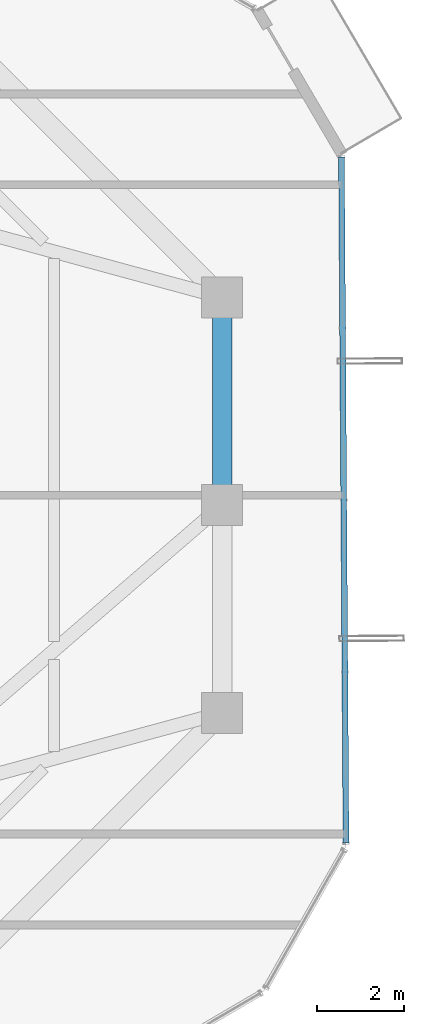
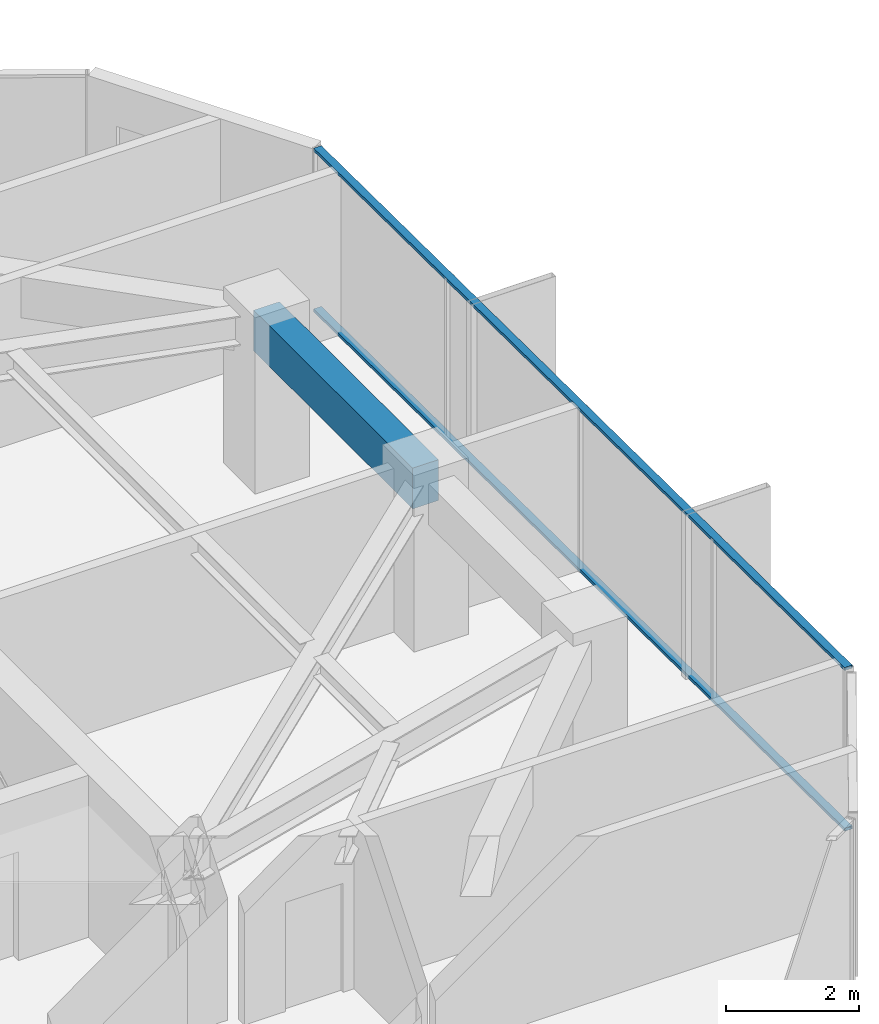
# One storey, part 18 of 31: 2 members, 1 beam, 1 element without a shape of its own.
"""IFC4 building model written with IfcOpenShell, lengths in metres."""

import ifcopenshell
import ifcopenshell.guid

model = None  # the IFC model being written
_history = None  # IfcOwnerHistory: only IFC2X3 demands one
_inside = {}  # id of a spatial element -> (the spatial element, [elements in it])
_under = {}  # id of a project, library or spatial element -> (it, [spatial elements below it])
_declared = {}  # id of a project -> (the project, [libraries it declares])
_typed = {}  # id of a type object -> (the type object, [elements of that type])
_made_of = {}  # id of a material, layer set ... -> (it, [elements and type objects made of it])


def new_model(schema):
    """Start an empty IFC model of exactly this schema.

    Asked for "IFC4X3", IfcOpenShell would pick the latest addendum, in which some entities
    have other attributes; the version numbers below select the first issue.
    IFC2X3 requires an IfcOwnerHistory on every rooted entity: one is made here for all.
    """
    global model, _history
    if schema == "IFC4X3":
        model = ifcopenshell.file(schema_version=(4, 3, 0, 0))
    else:
        model = ifcopenshell.file(schema=schema)
    _inside.clear()
    _under.clear()
    _declared.clear()
    _typed.clear()
    _made_of.clear()
    _history = None
    if model.schema == "IFC2X3":
        org = make("IfcOrganization", Name="unknown")
        user = make(
            "IfcPersonAndOrganization",
            ThePerson=make("IfcPerson", FamilyName="unknown"),
            TheOrganization=org,
        )
        app = make(
            "IfcApplication",
            ApplicationDeveloper=org,
            Version="unknown",
            ApplicationFullName="unknown",
            ApplicationIdentifier="unknown",
        )
        _history = make(
            "IfcOwnerHistory",
            OwningUser=user,
            OwningApplication=app,
            ChangeAction="ADDED",
            CreationDate=0,
        )
    return model


def make(cls, **values):
    """One entity of the class cls with the attributes given. An attribute that is None is left unset."""
    return model.create_entity(
        cls, **{name: value for name, value in values.items() if value is not None}
    )


def rooted(cls, **values):
    """An entity with a GlobalId (a new one), such as an element, a storey or a relation."""
    return make(cls, GlobalId=ifcopenshell.guid.new(), OwnerHistory=_history, **values)


def si_unit(unit_type, name, prefix=None):
    """IfcSIUnit, for example si_unit("LENGTHUNIT", "METRE", prefix="MILLI")."""
    return make("IfcSIUnit", UnitType=unit_type, Prefix=prefix, Name=name)


def assignment(units):
    """IfcUnitAssignment: the units of a project."""
    return None if units is None else make("IfcUnitAssignment", Units=units)


def point(xyz):
    """IfcCartesianPoint."""
    return None if xyz is None else make("IfcCartesianPoint", Coordinates=xyz)


def direction(xyz):
    """IfcDirection."""
    return None if xyz is None else make("IfcDirection", DirectionRatios=xyz)


def frame(location, z_axis=None, x_axis=None):
    """IfcAxis2Placement3D, a coordinate frame: its origin and axes. An axis left out is left unset."""
    return make(
        "IfcAxis2Placement3D",
        Location=point(location),
        Axis=direction(z_axis),
        RefDirection=direction(x_axis),
    )


def frame_2d(location, x_axis=None):
    """IfcAxis2Placement2D, a coordinate frame in the plane: its origin and x axis."""
    return make(
        "IfcAxis2Placement2D", Location=point(location), RefDirection=direction(x_axis)
    )


def origin():
    """The frame at (0, 0, 0) with its axes left unset."""
    return frame((0.0, 0.0, 0.0))


def origin_2d():
    """The frame at (0, 0) in the plane with its x axis left unset."""
    return frame_2d((0.0, 0.0))


def place(relative_to, where):
    """IfcLocalPlacement: puts the frame where relative to a parent placement (None: the world)."""
    return make(
        "IfcLocalPlacement", PlacementRelTo=relative_to, RelativePlacement=where
    )


def context(
    kind, dimensions, precision=None, world=None, true_north=None, identifier=None
):
    """IfcGeometricRepresentationContext, for example the 3D "Model" context."""
    return make(
        "IfcGeometricRepresentationContext",
        ContextIdentifier=identifier,
        ContextType=kind,
        CoordinateSpaceDimension=dimensions,
        Precision=precision,
        WorldCoordinateSystem=world,
        TrueNorth=true_north,
    )


def subcontext(parent, identifier, kind, view, scale=None):
    """IfcGeometricRepresentationSubContext, for example "Body" below "Model"."""
    return make(
        "IfcGeometricRepresentationSubContext",
        ContextIdentifier=identifier,
        ContextType=kind,
        ParentContext=parent,
        TargetScale=scale,
        TargetView=view,
    )


def project(units=None, contexts=None):
    """IfcProject with its units and contexts."""
    return rooted(
        "IfcProject",
        Name="project",
        RepresentationContexts=contexts,
        UnitsInContext=assignment(units),
    )


def spatial(cls, under=None, at=None, **own):
    """A site, building, storey or space (cls), placed at a placement, below another one or the project."""
    s = rooted(cls, ObjectPlacement=at, **own)
    if under is not None:
        _under.setdefault(under.id(), (under, []))[1].append(s)
    return s


def profile(cls, at=None, kind="AREA", **sizes):
    """A parametric profile (cls). Its sizes go by their IFC names, for example OverallWidth=200.0."""
    return make(cls, ProfileType=kind, Position=at, **sizes)


def rectangle(**sizes):
    """IfcRectangleProfileDef."""
    return profile("IfcRectangleProfileDef", **sizes)


def hollow_rectangle(**sizes):
    """IfcRectangleHollowProfileDef."""
    return profile("IfcRectangleHollowProfileDef", **sizes)


def extrude(swept, where, along, depth):
    """IfcExtrudedAreaSolid: the profile swept, set in the frame where, extruded along a direction by depth."""
    return make(
        "IfcExtrudedAreaSolid",
        SweptArea=swept,
        Position=where,
        ExtrudedDirection=direction(along),
        Depth=depth,
    )


def shape(context_of_items, identifier, shape_type, items):
    """IfcShapeRepresentation: the items that make up one representation, for example the "Body"."""
    return make(
        "IfcShapeRepresentation",
        ContextOfItems=context_of_items,
        RepresentationIdentifier=identifier,
        RepresentationType=shape_type,
        Items=items,
    )


def source(mapping_origin, context_of_items, identifier, shape_type, items):
    """IfcRepresentationMap: a shape defined once, which mapped items show again and again."""
    return make(
        "IfcRepresentationMap",
        MappingOrigin=mapping_origin,
        MappedRepresentation=shape(context_of_items, identifier, shape_type, items),
    )


def transform(
    local_origin,
    x_axis=None,
    y_axis=None,
    z_axis=None,
    scale=None,
    scale2=None,
    scale3=None,
    uniform=True,
):
    """IfcCartesianTransformationOperator3D, or its non-uniform kind. x_axis, y_axis, z_axis: its Axis1, 2, 3."""
    if uniform:
        return make(
            "IfcCartesianTransformationOperator3D",
            Axis1=direction(x_axis),
            Axis2=direction(y_axis),
            LocalOrigin=point(local_origin),
            Scale=scale,
            Axis3=direction(z_axis),
        )
    return make(
        "IfcCartesianTransformationOperator3DnonUniform",
        Axis1=direction(x_axis),
        Axis2=direction(y_axis),
        LocalOrigin=point(local_origin),
        Scale=scale,
        Axis3=direction(z_axis),
        Scale2=scale2,
        Scale3=scale3,
    )


def mapped(mapping_source, mapping_target):
    """IfcMappedItem: shows the shape of a source again, moved by a transform."""
    return make(
        "IfcMappedItem", MappingSource=mapping_source, MappingTarget=mapping_target
    )


def material(Name=None, Category=None):
    """IfcMaterial."""
    return make("IfcMaterial", Name=Name, Category=Category)


def layer(
    of_material, thickness, ventilated=None, Name=None, Category=None, Priority=None
):
    """IfcMaterialLayer: one layer of a wall or slab, of a material (None: an air gap)."""
    return make(
        "IfcMaterialLayer",
        Material=of_material,
        LayerThickness=thickness,
        IsVentilated=ventilated,
        Name=Name,
        Category=Category,
        Priority=Priority,
    )


def layer_set(layers, Name=None):
    """IfcMaterialLayerSet."""
    return make("IfcMaterialLayerSet", MaterialLayers=layers, LayerSetName=Name)


def material_profile(
    of_material, cross_section, Name=None, Category=None, Priority=None
):
    """IfcMaterialProfile: a cross section and its material."""
    return make(
        "IfcMaterialProfile",
        Name=Name,
        Material=of_material,
        Profile=cross_section,
        Priority=Priority,
        Category=Category,
    )


def profile_set(profiles, Name=None, composite=None):
    """IfcMaterialProfileSet."""
    return make(
        "IfcMaterialProfileSet",
        Name=Name,
        MaterialProfiles=profiles,
        CompositeProfile=composite,
    )


def made_of(thing, what):
    """Note that an element or type object is made of a material, layer set ...; save() writes the relation."""
    if what is not None:
        _made_of.setdefault(what.id(), (what, []))[1].append(thing)
    return thing


def type_object(cls, material=None, **own):
    """A type object (cls), such as IfcWallType, which elements share."""
    return made_of(rooted(cls, **own), material)


def element(
    cls,
    number,
    at=None,
    inside=None,
    cuts=None,
    type_object=None,
    material=None,
    context=None,
    identifier="Body",
    shape_type=None,
    held_by="IfcProductDefinitionShape",
    body=None,
    shapes=None,
    **own,
):
    """One element of the class cls, such as IfcWall. Its Tag is "e" and its number.

    at: its placement. inside: the storey or other place that contains it. cuts: it is an
    opening in that element (IfcRelVoidsElement). A single representation is given by context,
    identifier, shape_type and body (its items); several are given by shapes. held_by: the class
    of the entity that holds the representations. save() writes the other relations.
    """
    e = rooted(cls, Tag="e%d" % number, ObjectPlacement=at, **own)
    if body is not None:
        shapes = [shape(context, identifier, shape_type, body)]
    if shapes is not None:
        e.Representation = make(held_by, Representations=shapes)
    if inside is not None:
        _inside.setdefault(inside.id(), (inside, []))[1].append(e)
    if cuts is not None:
        rooted(
            "IfcRelVoidsElement", RelatingBuildingElement=cuts, RelatedOpeningElement=e
        )
    if type_object is not None:
        _typed.setdefault(type_object.id(), (type_object, []))[1].append(e)
    return made_of(e, material)


def aggregate(whole, parts):
    """IfcRelAggregates: a whole, such as a stair, and the parts it consists of."""
    return rooted("IfcRelAggregates", RelatingObject=whole, RelatedObjects=parts)


def save(model, path):
    """Write the relations noted so far, then the file.

    IfcRelAggregates (storeys below a building ...), IfcRelContainedInSpatialStructure (elements
    in a storey), IfcRelDefinesByType, IfcRelAssociatesMaterial and IfcRelDeclares: one each for
    every whole, place, type object, material and project.
    """
    for whole, parts in _under.values():
        aggregate(whole, parts)
    for where, things in _inside.values():
        rooted(
            "IfcRelContainedInSpatialStructure",
            RelatedElements=things,
            RelatingStructure=where,
        )
    for kind, things in _typed.values():
        rooted("IfcRelDefinesByType", RelatedObjects=things, RelatingType=kind)
    for what, things in _made_of.values():
        rooted("IfcRelAssociatesMaterial", RelatedObjects=things, RelatingMaterial=what)
    for by, libraries in _declared.values():
        rooted("IfcRelDeclares", RelatingContext=by, RelatedDefinitions=libraries)
    model.write(path)


model = new_model("IFC4")

# Units and contexts
model_context = context("Model", 3, precision=1e-05, world=origin(), true_north=direction((0.0, 1.0)))
body_context = subcontext(model_context, "Body", "Model", "MODEL_VIEW")
ifc_project = project(units=[si_unit("LENGTHUNIT", "METRE"), si_unit("AREAUNIT", "SQUARE_METRE"), si_unit("VOLUMEUNIT", "CUBIC_METRE"), si_unit("PLANEANGLEUNIT", "RADIAN"), si_unit("MASSUNIT", "GRAM", prefix="KILO")], contexts=[model_context])

# Site, building, storey
site_placement = place(None, origin())
site = spatial("IfcSite", under=ifc_project, at=site_placement, CompositionType="ELEMENT")
building_placement = place(site_placement, origin())
building = spatial("IfcBuilding", under=site, at=building_placement, Name="Veraguas Prism Commons", CompositionType="ELEMENT")
storey_placement = place(building_placement, frame((0.0, 0.0, 204.85009765625)))
storey = spatial("IfcBuildingStorey", under=building, at=storey_placement, Name="L58", CompositionType="ELEMENT", Elevation=204.85009765625)

# Beam
ifc_material_1 = material(Name="Concrete C50/60", Category="concrete")
ifc_material_profile_1 = material_profile(ifc_material_1, rectangle(XDim=0.449951171875, YDim=0.75, at=origin_2d()), Name="RC450X750")
ifc_profile_set_1 = profile_set([ifc_material_profile_1], Name="Concrete C50/60")
beam_type = type_object("IfcBeamType", Name="Perimeter Spandrel Upper RC 450x750", PredefinedType="SPANDREL", material=ifc_profile_set_1)
beam_placement = place(storey_placement, frame((38.89990234375, 24.0, 2.639892578125), z_axis=(0.0, 1.0, 0.0), x_axis=(-1.0, 0.0, 0.0)))
element("IfcBeam", 1, at=beam_placement, inside=storey, type_object=beam_type, Name="Perimeter Spandrel Beam L58-SP02", PredefinedType="SPANDREL", context=body_context, shape_type="SweptSolid", body=[
    extrude(rectangle(XDim=0.449951171875, YDim=0.75, at=origin_2d()), origin(), (0.0, 0.0, 1.0), 4.800048828125),
])

# Curtain wall, members
ifc_material_2 = material(Name="Anodised aluminium EN AW-6063 T6", Category="aluminium")
ifc_layer = layer(ifc_material_2, 0.14990234375, Name="Unitised Flush Curtain Wall Zone 3", Category="aluminium")
ifc_layer_set = layer_set([ifc_layer], Name="Anodised aluminium EN AW-6063 T6")
curtain_wall_type = type_object("IfcCurtainWallType", Name="Unitised Flush Curtain Wall Zone 3", PredefinedType="NOTDEFINED", material=ifc_layer_set)
curtain_wall_placement = place(storey_placement, origin())
curtain_wall = element("IfcCurtainWall", 2, at=curtain_wall_placement, inside=storey, type_object=curtain_wall_type, Name="Tower Facade Curtain Wall L58-F6", PredefinedType="NOTDEFINED")
ifc_material_profile_2 = material_profile(ifc_material_2, hollow_rectangle(XDim=0.054931640625, YDim=0.135009765625, WallThickness=0.0029296875, at=origin_2d()), Name="AL55X135X3")
ifc_profile_set_2 = profile_set([ifc_material_profile_2], Name="Anodised aluminium EN AW-6063 T6")
member_type = type_object("IfcMemberType", Name="Curtain Wall Transom Standard AL 55x135x3", PredefinedType="USERDEFINED", material=ifc_profile_set_2)
shared_shape = source(origin(), body_context, "Body", "SweptSolid", [
    extrude(hollow_rectangle(XDim=0.054931640625, YDim=0.135009765625, WallThickness=0.0029296875, at=origin_2d()), origin(), (0.0, 0.0, 1.0), 15.842529296875),
])
member_1_placement = place(storey_placement, frame((41.762451171875, 16.1962890625, 0.02734375), z_axis=(-0.006641863049, 0.999977942584, 0.0), x_axis=(0.0, 0.0, 1.0)))
member_1 = element("IfcMember", 3, at=member_1_placement, type_object=member_type, Name="CW-Z3 Transom 1", ObjectType="TRANSOM", PredefinedType="USERDEFINED", context=body_context, shape_type="MappedRepresentation", body=[
    mapped(shared_shape, transform((0.0, 0.0, 0.0), scale=1.0)),
])
member_2_placement = place(storey_placement, frame((41.762451171875, 16.1962890625, 2.9873046875), z_axis=(-0.006641863049, 0.999977942584, 0.0), x_axis=(0.0, 0.0, 1.0)))
member_2 = element("IfcMember", 4, at=member_2_placement, type_object=member_type, Name="CW-Z3 Transom 2", ObjectType="TRANSOM", PredefinedType="USERDEFINED", context=body_context, shape_type="MappedRepresentation", body=[
    mapped(shared_shape, transform((0.0, 0.0, 0.0), scale=1.0)),
])
aggregate(curtain_wall, [member_1, member_2])

save(model, "model.ifc")
